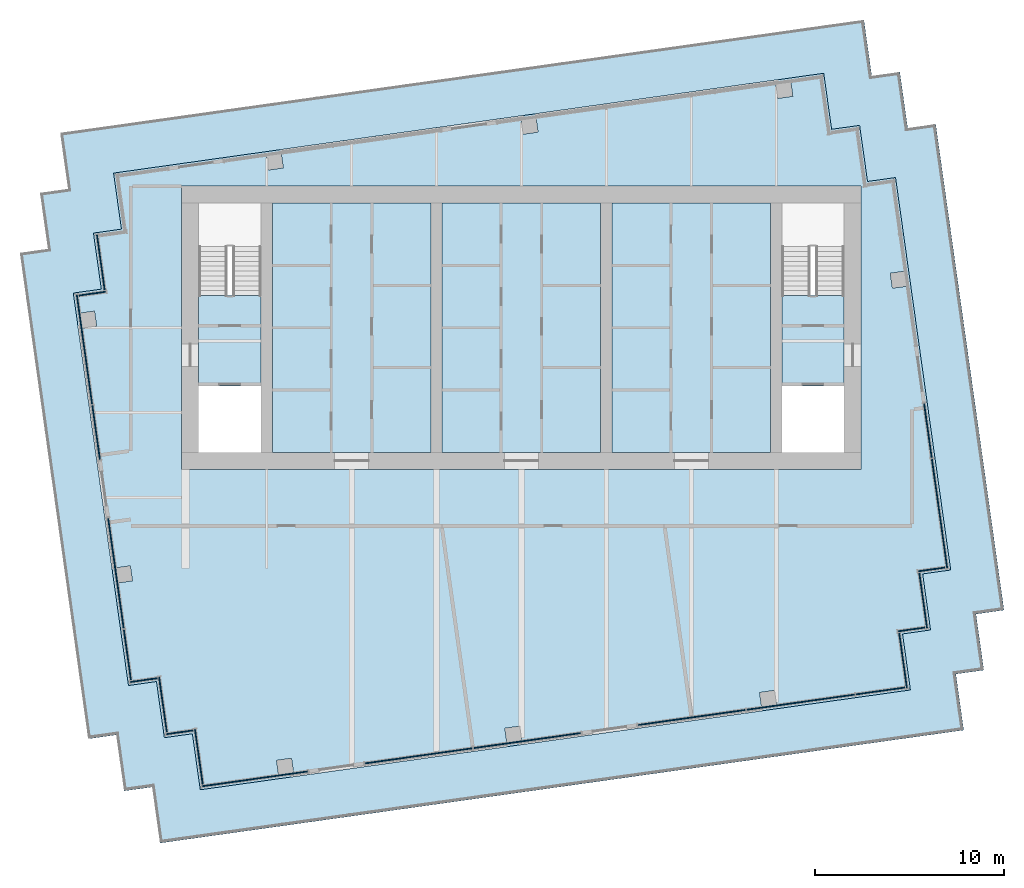
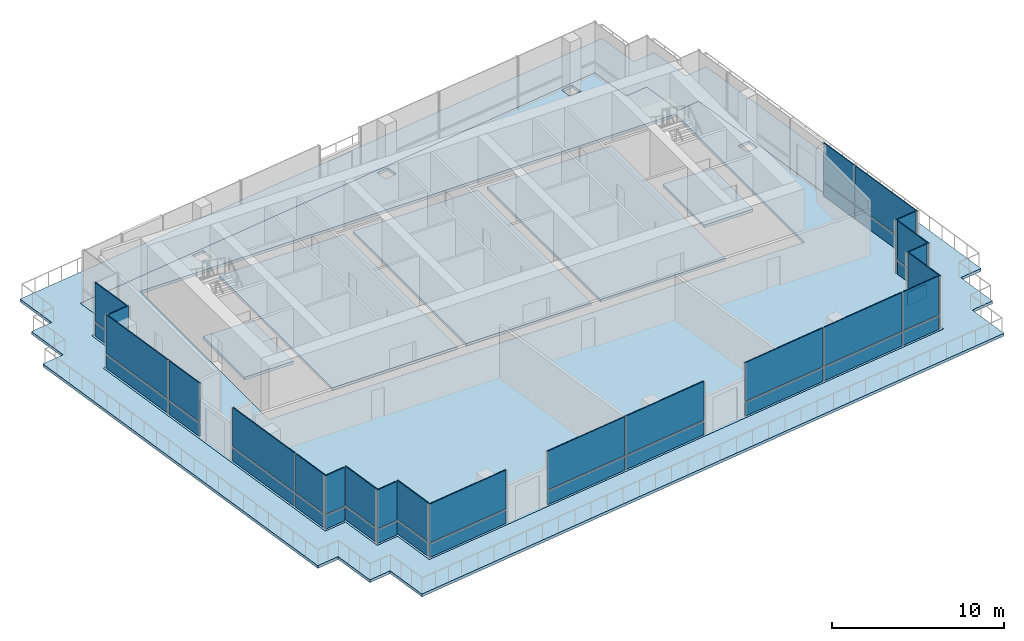
# One storey, part 5 of 12: 44 plates, 7 slabs, 16 elements without a shape of their own.
"""IFC4 building model written with IfcOpenShell, lengths in metres."""

from ifc_helpers import new_model, si_unit, direction, frame, origin, origin_2d, place, context, subcontext, project, spatial, polyline, rectangle, outline, extrude, material, layer, layer_set, type_object, element, aggregate, save


model = new_model("IFC4")

# Units and contexts
model_context = context("Model", 3, precision=1e-05, world=origin(), true_north=direction((0.0, 1.0)))
body_context = subcontext(model_context, "Body", "Model", "MODEL_VIEW")
ifc_project = project(units=[si_unit("LENGTHUNIT", "METRE"), si_unit("AREAUNIT", "SQUARE_METRE"), si_unit("VOLUMEUNIT", "CUBIC_METRE"), si_unit("PLANEANGLEUNIT", "RADIAN"), si_unit("MASSUNIT", "GRAM", prefix="KILO")], contexts=[model_context])

# Site, building, storey
site_placement = place(None, origin())
site = spatial("IfcSite", under=ifc_project, at=site_placement, CompositionType="ELEMENT")
building_placement = place(site_placement, origin())
building = spatial("IfcBuilding", under=site, at=building_placement, Name="Rattan Terrace Tower", CompositionType="ELEMENT")
storey_placement = place(building_placement, frame((0.0, 0.0, 292.300048828125)))
storey = spatial("IfcBuildingStorey", under=building, at=storey_placement, Name="C01", CompositionType="ELEMENT", Elevation=292.300048828125)

# Slabs
ifc_material_1 = material(Name="Concrete C35/45", Category="concrete")
ifc_layer_1 = layer(ifc_material_1, 0.199951171875)
ifc_layer_set_1 = layer_set([ifc_layer_1], Name="Frame composite floor slab 200")
slab_type_1 = type_object("IfcSlabType", Name="Frame composite floor slab 200", PredefinedType="FLOOR", material=ifc_layer_set_1)
slab_1_placement = place(storey_placement, frame((0.0, 0.0, -0.199951171875)))
element("IfcSlab", 1, at=slab_1_placement, inside=storey, type_object=slab_type_1, Name="Floor slab", PredefinedType="FLOOR", context=body_context, shape_type="SweptSolid", body=[
    extrude(outline(polyline([(-22.260986328125, 2.0458984375), (-23.7470703125, 1.8369140625), (-20.823974609375, -18.958984375), (-19.340087890625, -18.75), (-18.9208984375, -21.722900390625), (-17.43701171875, -21.514892578125), (-17.01904296875, -24.48388671875), (-16.52392578125, -24.4140625), (20.115966796875, -19.263916015625), (20.612060546875, -19.195068359375), (20.195068359375, -16.22509765625), (21.678955078125, -16.01611328125), (21.260986328125, -13.0458984375), (22.7470703125, -12.8369140625), (19.823974609375, 7.958984375), (18.340087890625, 7.75), (17.9208984375, 10.722900390625), (16.43701171875, 10.514892578125), (16.01904296875, 13.48388671875), (15.52392578125, 13.4140625), (-21.115966796875, 8.263916015625), (-21.612060546875, 8.195068359375), (-21.195068359375, 5.22509765625), (-22.678955078125, 5.01611328125), (-22.260986328125, 2.0458984375)]), holes=[polyline([(-12.0732421875, -23.6064453125), (-12.1845703125, -22.814208984375), (-12.976806640625, -22.925537109375), (-12.865478515625, -23.7177734375), (-12.0732421875, -23.6064453125)]), polyline([(0.022705078125, -21.906494140625), (-0.088623046875, -21.1142578125), (-0.880859375, -21.2255859375), (-0.769287109375, -22.017822265625), (0.022705078125, -21.906494140625)]), polyline([(-20.7255859375, -12.619140625), (-21.517822265625, -12.730712890625), (-21.406494140625, -13.522705078125), (-20.6142578125, -13.411376953125), (-20.7255859375, -12.619140625)]), polyline([(-18.0, -6.60009765625), (-18.0, -7.5), (18.0, -7.5), (18.0, -6.60009765625), (18.0, 6.60009765625), (18.0, 7.5), (-18.0, 7.5), (-18.0, 6.60009765625), (-18.0, -6.60009765625)]), polyline([(-22.51123046875, 0.088623046875), (-22.62255859375, 0.880859375), (-23.414794921875, 0.769287109375), (-23.303466796875, -0.022705078125), (-22.51123046875, 0.088623046875)]), polyline([(-12.619140625, 8.468505859375), (-12.730712890625, 9.2607421875), (-13.522705078125, 9.1494140625), (-13.411376953125, 8.357177734375), (-12.619140625, 8.468505859375)]), polyline([(13.522705078125, -20.009521484375), (13.411376953125, -19.21728515625), (12.619140625, -19.32861328125), (12.730712890625, -20.120849609375), (13.522705078125, -20.009521484375)]), polyline([(20.45068359375, 2.20556640625), (20.33935546875, 2.997802734375), (19.547119140625, 2.886474609375), (19.65869140625, 2.09423828125), (20.45068359375, 2.20556640625)]), polyline([(0.088623046875, 10.255126953125), (0.880859375, 10.36669921875), (0.769287109375, 11.15869140625), (-0.022705078125, 11.04736328125), (0.088623046875, 10.255126953125)]), polyline([(13.588623046875, 12.152099609375), (14.380859375, 12.263671875), (14.269287109375, 13.055908203125), (13.477294921875, 12.9443359375), (13.588623046875, 12.152099609375)])]), origin(), (0.0, 0.0, 1.0), 0.199951171875),
])
slab_2_placement = place(storey_placement, frame((0.0, 0.0, -0.199951171875)))
element("IfcSlab", 2, at=slab_2_placement, inside=storey, type_object=slab_type_1, Name="Floor slab", PredefinedType="FLOOR", context=body_context, shape_type="SweptSolid", body=[
    extrude(outline(polyline([(-13.199951171875, 6.60009765625), (-13.199951171875, -6.60009765625), (-4.800048828125, -6.60009765625), (-4.800048828125, 6.60009765625), (-13.199951171875, 6.60009765625)])), origin(), (0.0, 0.0, 1.0), 0.199951171875),
])
slab_3_placement = place(storey_placement, frame((0.0, 0.0, -0.199951171875)))
element("IfcSlab", 3, at=slab_3_placement, inside=storey, type_object=slab_type_1, Name="Floor slab", PredefinedType="FLOOR", context=body_context, shape_type="SweptSolid", body=[
    extrude(outline(polyline([(-4.199951171875, 6.60009765625), (-4.199951171875, -6.60009765625), (4.199951171875, -6.60009765625), (4.199951171875, 6.60009765625), (-4.199951171875, 6.60009765625)])), origin(), (0.0, 0.0, 1.0), 0.199951171875),
])
slab_4_placement = place(storey_placement, frame((0.0, 0.0, -0.199951171875)))
element("IfcSlab", 4, at=slab_4_placement, inside=storey, type_object=slab_type_1, Name="Floor slab", PredefinedType="FLOOR", context=body_context, shape_type="SweptSolid", body=[
    extrude(outline(polyline([(4.800048828125, -6.60009765625), (13.199951171875, -6.60009765625), (13.199951171875, 6.60009765625), (4.800048828125, 6.60009765625), (4.800048828125, -6.60009765625)])), origin(), (0.0, 0.0, 1.0), 0.199951171875),
])
slab_5_placement = place(storey_placement, frame((0.0, 0.0, -0.199951171875)))
element("IfcSlab", 5, at=slab_5_placement, inside=storey, type_object=slab_type_1, Name="Floor slab", PredefinedType="FLOOR", context=body_context, shape_type="SweptSolid", body=[
    extrude(outline(polyline([(-13.800048828125, -3.10009765625), (-13.800048828125, 1.7099609375), (-17.10009765625, 1.7099609375), (-17.10009765625, -3.10009765625), (-13.800048828125, -3.10009765625)])), origin(), (0.0, 0.0, 1.0), 0.199951171875),
])
slab_6_placement = place(storey_placement, frame((0.0, 0.0, -0.199951171875)))
element("IfcSlab", 6, at=slab_6_placement, inside=storey, type_object=slab_type_1, Name="Floor slab", PredefinedType="FLOOR", context=body_context, shape_type="SweptSolid", body=[
    extrude(outline(polyline([(13.800048828125, -3.10009765625), (17.10009765625, -3.10009765625), (17.10009765625, 1.7099609375), (13.800048828125, 1.7099609375), (13.800048828125, -3.10009765625)])), origin(), (0.0, 0.0, 1.0), 0.199951171875),
])
ifc_material_2 = material(Name="Concrete C35/45", Category="concrete")
ifc_layer_2 = layer(ifc_material_2, 0.199951171875)
ifc_layer_set_2 = layer_set([ifc_layer_2], Name="Frame terrace slab 200")
slab_type_2 = type_object("IfcSlabType", Name="Frame terrace slab 200", PredefinedType="ROOF", material=ifc_layer_set_2)
slab_7_placement = place(storey_placement, frame((0.0, 0.0, -0.199951171875)))
element("IfcSlab", 7, at=slab_7_placement, inside=storey, type_object=slab_type_2, Name="Terrace slab", PredefinedType="ROOF", context=body_context, shape_type="SweptSolid", body=[
    extrude(outline(polyline([(-19.14599609375, -27.306884765625), (-16.176025390625, -26.889892578125), (20.464111328125, -21.739990234375), (23.43505859375, -21.322998046875), (23.01806640625, -18.35205078125), (24.5029296875, -18.14306640625), (24.0849609375, -15.173095703125), (25.571044921875, -14.964111328125), (21.951904296875, 10.782958984375), (20.467041015625, 10.573974609375), (20.049072265625, 13.544921875), (18.56396484375, 13.3369140625), (18.14599609375, 16.306884765625), (15.176025390625, 15.889892578125), (-21.464111328125, 10.739990234375), (-24.43505859375, 10.322998046875), (-24.01806640625, 7.35205078125), (-25.5029296875, 7.14306640625), (-25.0849609375, 4.173095703125), (-26.571044921875, 3.964111328125), (-22.951904296875, -21.782958984375), (-21.467041015625, -21.573974609375), (-21.049072265625, -24.544921875), (-19.56396484375, -24.3369140625), (-19.14599609375, -27.306884765625)]), holes=[polyline([(-19.340087890625, -18.75), (-18.9208984375, -21.722900390625), (-17.43701171875, -21.514892578125), (-17.01904296875, -24.48388671875), (-16.52392578125, -24.4140625), (20.115966796875, -19.263916015625), (20.612060546875, -19.195068359375), (20.195068359375, -16.22509765625), (21.678955078125, -16.01611328125), (21.260986328125, -13.0458984375), (22.7470703125, -12.8369140625), (19.823974609375, 7.958984375), (18.340087890625, 7.75), (17.9208984375, 10.722900390625), (16.43701171875, 10.514892578125), (16.01904296875, 13.48388671875), (15.52392578125, 13.4140625), (-21.115966796875, 8.263916015625), (-21.612060546875, 8.195068359375), (-21.195068359375, 5.22509765625), (-22.678955078125, 5.01611328125), (-22.260986328125, 2.0458984375), (-23.7470703125, 1.8369140625), (-20.823974609375, -18.958984375), (-19.340087890625, -18.75)])]), origin(), (0.0, 0.0, 1.0), 0.199951171875),
])

# Curtain wall, plates
ifc_material_3 = material(Name="Aluminium and laminated glass", Category="aluminium")
ifc_layer_3 = layer(ifc_material_3, 0.239990234375)
ifc_layer_set_3 = layer_set([ifc_layer_3], Name="Lantern Stick Curtain Wall")
curtain_wall_type = type_object("IfcCurtainWallType", Name="Lantern Stick Curtain Wall", PredefinedType="NOTDEFINED", material=ifc_layer_set_3)
curtain_wall_1_placement = place(storey_placement, origin())
curtain_wall_1 = element("IfcCurtainWall", 8, at=curtain_wall_1_placement, inside=storey, type_object=curtain_wall_type, Name="Lantern curtain wall C01-1", PredefinedType="NOTDEFINED")
ifc_material_4 = material(Name="Laminated low-iron glass", Category="glass")
ifc_layer_4 = layer(ifc_material_4, 0.06591796875)
ifc_layer_set_4 = layer_set([ifc_layer_4], Name="Lantern CW Laminated Panel")
plate_type = type_object("IfcPlateType", Name="Lantern CW Laminated Panel", PredefinedType="CURTAIN_PANEL", material=ifc_layer_set_4)
plate_1_placement = place(storey_placement, frame((-23.1552734375, -1.152099609375, 0.0), z_axis=(0.0, 0.0, 1.0), x_axis=(0.139187707455, -0.990266015823, 0.0)))
plate_1 = element("IfcPlate", 9, at=plate_1_placement, type_object=plate_type, Name="Panel cwl-C01-001.1.1", PredefinedType="CURTAIN_PANEL", context=body_context, shape_type="SweptSolid", body=[
    extrude(rectangle(XDim=5.844970703125, YDim=0.06591796875, at=origin_2d()), origin(), (0.0, 0.0, 1.0), 0.949951171875),
])
plate_2_placement = place(storey_placement, frame((-23.1552734375, -1.152099609375, 1.050048828125), z_axis=(0.0, 0.0, 1.0), x_axis=(0.139187707455, -0.990266015823, 0.0)))
plate_2 = element("IfcPlate", 10, at=plate_2_placement, type_object=plate_type, Name="Panel cwl-C01-001.1.2", PredefinedType="CURTAIN_PANEL", context=body_context, shape_type="SweptSolid", body=[
    extrude(rectangle(XDim=5.844970703125, YDim=0.06591796875, at=origin_2d()), origin(), (0.0, 0.0, 1.0), 2.75),
])
plate_3_placement = place(storey_placement, frame((-22.537109375, -5.549072265625, 0.0), z_axis=(0.0, 0.0, 1.0), x_axis=(0.139187707455, -0.990266015823, 0.0)))
plate_3 = element("IfcPlate", 11, at=plate_3_placement, type_object=plate_type, Name="Panel cwl-C01-001.2.1", PredefinedType="CURTAIN_PANEL", context=body_context, shape_type="SweptSolid", body=[
    extrude(rectangle(XDim=2.89501953125, YDim=0.06591796875, at=origin_2d()), origin(), (0.0, 0.0, 1.0), 0.949951171875),
])
plate_4_placement = place(storey_placement, frame((-22.537109375, -5.549072265625, 1.050048828125), z_axis=(0.0, 0.0, 1.0), x_axis=(0.139187707455, -0.990266015823, 0.0)))
plate_4 = element("IfcPlate", 12, at=plate_4_placement, type_object=plate_type, Name="Panel cwl-C01-001.2.2", PredefinedType="CURTAIN_PANEL", context=body_context, shape_type="SweptSolid", body=[
    extrude(rectangle(XDim=2.89501953125, YDim=0.06591796875, at=origin_2d()), origin(), (0.0, 0.0, 1.0), 2.75),
])
aggregate(curtain_wall_1, [plate_1, plate_2, plate_3, plate_4])

curtain_wall_2_placement = place(storey_placement, origin())
curtain_wall_2 = element("IfcCurtainWall", 13, at=curtain_wall_2_placement, inside=storey, type_object=curtain_wall_type, Name="Lantern curtain wall C01-2", PredefinedType="NOTDEFINED")
plate_5_placement = place(storey_placement, frame((-21.488525390625, -13.0107421875, 0.0), z_axis=(0.0, 0.0, 1.0), x_axis=(0.139187707455, -0.990266015823, 0.0)))
plate_5 = element("IfcPlate", 14, at=plate_5_placement, type_object=plate_type, Name="Panel cwl-C01-002.1.1", PredefinedType="CURTAIN_PANEL", context=body_context, shape_type="SweptSolid", body=[
    extrude(rectangle(XDim=5.89501953125, YDim=0.06591796875, at=origin_2d()), origin(), (0.0, 0.0, 1.0), 0.949951171875),
])
plate_6_placement = place(storey_placement, frame((-21.488525390625, -13.0107421875, 1.050048828125), z_axis=(0.0, 0.0, 1.0), x_axis=(0.139187707455, -0.990266015823, 0.0)))
plate_6 = element("IfcPlate", 15, at=plate_6_placement, type_object=plate_type, Name="Panel cwl-C01-002.1.2", PredefinedType="CURTAIN_PANEL", context=body_context, shape_type="SweptSolid", body=[
    extrude(rectangle(XDim=5.89501953125, YDim=0.06591796875, at=origin_2d()), origin(), (0.0, 0.0, 1.0), 2.75),
])
plate_7_placement = place(storey_placement, frame((-20.88232421875, -17.323486328125, 0.0), z_axis=(0.0, 0.0, 1.0), x_axis=(0.139187707455, -0.990266015823, 0.0)))
plate_7 = element("IfcPlate", 16, at=plate_7_placement, type_object=plate_type, Name="Panel cwl-C01-002.2.1", PredefinedType="CURTAIN_PANEL", context=body_context, shape_type="SweptSolid", body=[
    extrude(rectangle(XDim=2.67529296875, YDim=0.06591796875, at=origin_2d()), origin(), (0.0, 0.0, 1.0), 0.949951171875),
])
plate_8_placement = place(storey_placement, frame((-20.88232421875, -17.323486328125, 1.050048828125), z_axis=(0.0, 0.0, 1.0), x_axis=(0.139187707455, -0.990266015823, 0.0)))
plate_8 = element("IfcPlate", 17, at=plate_8_placement, type_object=plate_type, Name="Panel cwl-C01-002.2.2", PredefinedType="CURTAIN_PANEL", context=body_context, shape_type="SweptSolid", body=[
    extrude(rectangle(XDim=2.67529296875, YDim=0.06591796875, at=origin_2d()), origin(), (0.0, 0.0, 1.0), 2.75),
])
aggregate(curtain_wall_2, [plate_5, plate_6, plate_7, plate_8])

curtain_wall_3_placement = place(storey_placement, origin())
curtain_wall_3 = element("IfcCurtainWall", 18, at=curtain_wall_3_placement, inside=storey, type_object=curtain_wall_type, Name="Lantern curtain wall C01-3", PredefinedType="NOTDEFINED")
plate_9_placement = place(storey_placement, frame((-20.021484375, -18.67431640625, 0.0), z_axis=(0.0, 0.0, 1.0), x_axis=(0.990227803001, 0.139459306479, 0.0)))
plate_9 = element("IfcPlate", 19, at=plate_9_placement, type_object=plate_type, Name="Panel cwl-C01-003.1.1", PredefinedType="CURTAIN_PANEL", context=body_context, shape_type="SweptSolid", body=[
    extrude(rectangle(XDim=1.428466796875, YDim=0.06591796875, at=origin_2d()), origin(), (0.0, 0.0, 1.0), 0.949951171875),
])
plate_10_placement = place(storey_placement, frame((-20.021484375, -18.67431640625, 1.050048828125), z_axis=(0.0, 0.0, 1.0), x_axis=(0.990227803001, 0.139459306479, 0.0)))
plate_10 = element("IfcPlate", 20, at=plate_10_placement, type_object=plate_type, Name="Panel cwl-C01-003.1.2", PredefinedType="CURTAIN_PANEL", context=body_context, shape_type="SweptSolid", body=[
    extrude(rectangle(XDim=1.428466796875, YDim=0.06591796875, at=origin_2d()), origin(), (0.0, 0.0, 1.0), 2.75),
])
aggregate(curtain_wall_3, [plate_9, plate_10])

curtain_wall_4_placement = place(storey_placement, origin())
curtain_wall_4 = element("IfcCurtainWall", 21, at=curtain_wall_4_placement, inside=storey, type_object=curtain_wall_type, Name="Lantern curtain wall C01-4", PredefinedType="NOTDEFINED")
plate_11_placement = place(storey_placement, frame((-18.997802734375, -19.96044921875, 0.0), z_axis=(0.0, 0.0, 1.0), x_axis=(0.139555918709, -0.990214191755, 0.0)))
plate_11 = element("IfcPlate", 22, at=plate_11_placement, type_object=plate_type, Name="Panel cwl-C01-004.1.1", PredefinedType="CURTAIN_PANEL", context=body_context, shape_type="SweptSolid", body=[
    extrude(rectangle(XDim=2.932373046875, YDim=0.06591796875, at=origin_2d()), origin(), (0.0, 0.0, 1.0), 0.949951171875),
])
plate_12_placement = place(storey_placement, frame((-18.997802734375, -19.96044921875, 1.050048828125), z_axis=(0.0, 0.0, 1.0), x_axis=(0.139555918709, -0.990214191755, 0.0)))
plate_12 = element("IfcPlate", 23, at=plate_12_placement, type_object=plate_type, Name="Panel cwl-C01-004.1.2", PredefinedType="CURTAIN_PANEL", context=body_context, shape_type="SweptSolid", body=[
    extrude(rectangle(XDim=2.932373046875, YDim=0.06591796875, at=origin_2d()), origin(), (0.0, 0.0, 1.0), 2.75),
])
aggregate(curtain_wall_4, [plate_11, plate_12])

curtain_wall_5_placement = place(storey_placement, origin())
curtain_wall_5 = element("IfcCurtainWall", 24, at=curtain_wall_5_placement, inside=storey, type_object=curtain_wall_type, Name="Lantern curtain wall C01-5", PredefinedType="NOTDEFINED")
plate_13_placement = place(storey_placement, frame((-18.11865234375, -21.43896484375, 0.0), z_axis=(0.0, 0.0, 1.0), x_axis=(0.990319742912, 0.13880492354, 0.0)))
plate_13 = element("IfcPlate", 25, at=plate_13_placement, type_object=plate_type, Name="Panel cwl-C01-005.1.1", PredefinedType="CURTAIN_PANEL", context=body_context, shape_type="SweptSolid", body=[
    extrude(rectangle(XDim=1.428466796875, YDim=0.06591796875, at=origin_2d()), origin(), (0.0, 0.0, 1.0), 0.949951171875),
])
plate_14_placement = place(storey_placement, frame((-18.11865234375, -21.43896484375, 1.050048828125), z_axis=(0.0, 0.0, 1.0), x_axis=(0.990319742912, 0.13880492354, 0.0)))
plate_14 = element("IfcPlate", 26, at=plate_14_placement, type_object=plate_type, Name="Panel cwl-C01-005.1.2", PredefinedType="CURTAIN_PANEL", context=body_context, shape_type="SweptSolid", body=[
    extrude(rectangle(XDim=1.428466796875, YDim=0.06591796875, at=origin_2d()), origin(), (0.0, 0.0, 1.0), 2.75),
])
aggregate(curtain_wall_5, [plate_13, plate_14])

curtain_wall_6_placement = place(storey_placement, origin())
curtain_wall_6 = element("IfcCurtainWall", 27, at=curtain_wall_6_placement, inside=storey, type_object=curtain_wall_type, Name="Lantern curtain wall C01-6", PredefinedType="NOTDEFINED")
plate_15_placement = place(storey_placement, frame((-17.09521484375, -22.723388671875, 0.0), z_axis=(0.0, 0.0, 1.0), x_axis=(0.139413247769, -0.990234288614, 0.0)))
plate_15 = element("IfcPlate", 28, at=plate_15_placement, type_object=plate_type, Name="Panel cwl-C01-006.1.1", PredefinedType="CURTAIN_PANEL", context=body_context, shape_type="SweptSolid", body=[
    extrude(rectangle(XDim=2.92822265625, YDim=0.06591796875, at=origin_2d()), origin(), (0.0, 0.0, 1.0), 0.949951171875),
])
plate_16_placement = place(storey_placement, frame((-17.09521484375, -22.723388671875, 1.050048828125), z_axis=(0.0, 0.0, 1.0), x_axis=(0.139413247769, -0.990234288614, 0.0)))
plate_16 = element("IfcPlate", 29, at=plate_16_placement, type_object=plate_type, Name="Panel cwl-C01-006.1.2", PredefinedType="CURTAIN_PANEL", context=body_context, shape_type="SweptSolid", body=[
    extrude(rectangle(XDim=2.92822265625, YDim=0.06591796875, at=origin_2d()), origin(), (0.0, 0.0, 1.0), 2.75),
])
aggregate(curtain_wall_6, [plate_15, plate_16])

curtain_wall_7_placement = place(storey_placement, origin())
curtain_wall_7 = element("IfcCurtainWall", 30, at=curtain_wall_7_placement, inside=storey, type_object=curtain_wall_type, Name="Lantern curtain wall C01-7", PredefinedType="NOTDEFINED")
plate_17_placement = place(storey_placement, frame((-14.123291015625, -23.9052734375, 0.0), z_axis=(0.0, 0.0, 1.0), x_axis=(0.990266952226, 0.13918104515, 0.0)))
plate_17 = element("IfcPlate", 31, at=plate_17_placement, type_object=plate_type, Name="Panel cwl-C01-007.1.1", PredefinedType="CURTAIN_PANEL", context=body_context, shape_type="SweptSolid", body=[
    extrude(rectangle(XDim=5.656005859375, YDim=0.06591796875, at=origin_2d()), origin(), (0.0, 0.0, 1.0), 0.949951171875),
])
plate_18_placement = place(storey_placement, frame((-14.123291015625, -23.9052734375, 1.050048828125), z_axis=(0.0, 0.0, 1.0), x_axis=(0.990266952226, 0.13918104515, 0.0)))
plate_18 = element("IfcPlate", 32, at=plate_18_placement, type_object=plate_type, Name="Panel cwl-C01-007.1.2", PredefinedType="CURTAIN_PANEL", context=body_context, shape_type="SweptSolid", body=[
    extrude(rectangle(XDim=5.656005859375, YDim=0.06591796875, at=origin_2d()), origin(), (0.0, 0.0, 1.0), 2.75),
])
aggregate(curtain_wall_7, [plate_17, plate_18])

curtain_wall_8_placement = place(storey_placement, origin())
curtain_wall_8 = element("IfcCurtainWall", 33, at=curtain_wall_8_placement, inside=storey, type_object=curtain_wall_type, Name="Lantern curtain wall C01-8", PredefinedType="NOTDEFINED")
plate_19_placement = place(storey_placement, frame((-5.447265625, -22.68603515625, 0.0), z_axis=(0.0, 0.0, 1.0), x_axis=(0.990266952226, 0.13918104515, 0.0)))
plate_19 = element("IfcPlate", 34, at=plate_19_placement, type_object=plate_type, Name="Panel cwl-C01-008.1.1", PredefinedType="CURTAIN_PANEL", context=body_context, shape_type="SweptSolid", body=[
    extrude(rectangle(XDim=5.740966796875, YDim=0.06591796875, at=origin_2d()), origin(), (0.0, 0.0, 1.0), 0.949951171875),
])
plate_20_placement = place(storey_placement, frame((-5.447265625, -22.68603515625, 1.050048828125), z_axis=(0.0, 0.0, 1.0), x_axis=(0.990266952226, 0.13918104515, 0.0)))
plate_20 = element("IfcPlate", 35, at=plate_20_placement, type_object=plate_type, Name="Panel cwl-C01-008.1.2", PredefinedType="CURTAIN_PANEL", context=body_context, shape_type="SweptSolid", body=[
    extrude(rectangle(XDim=5.740966796875, YDim=0.06591796875, at=origin_2d()), origin(), (0.0, 0.0, 1.0), 2.75),
])
plate_21_placement = place(storey_placement, frame((0.307373046875, -21.877197265625, 0.0), z_axis=(0.0, 0.0, 1.0), x_axis=(0.990266952226, 0.13918104515, 0.0)))
plate_21 = element("IfcPlate", 36, at=plate_21_placement, type_object=plate_type, Name="Panel cwl-C01-008.2.1", PredefinedType="CURTAIN_PANEL", context=body_context, shape_type="SweptSolid", body=[
    extrude(rectangle(XDim=5.740966796875, YDim=0.06591796875, at=origin_2d()), origin(), (0.0, 0.0, 1.0), 0.949951171875),
])
plate_22_placement = place(storey_placement, frame((0.307373046875, -21.877197265625, 1.050048828125), z_axis=(0.0, 0.0, 1.0), x_axis=(0.990266952226, 0.13918104515, 0.0)))
plate_22 = element("IfcPlate", 37, at=plate_22_placement, type_object=plate_type, Name="Panel cwl-C01-008.2.2", PredefinedType="CURTAIN_PANEL", context=body_context, shape_type="SweptSolid", body=[
    extrude(rectangle(XDim=5.740966796875, YDim=0.06591796875, at=origin_2d()), origin(), (0.0, 0.0, 1.0), 2.75),
])
aggregate(curtain_wall_8, [plate_19, plate_20, plate_21, plate_22])

curtain_wall_9_placement = place(storey_placement, origin())
curtain_wall_9 = element("IfcCurtainWall", 38, at=curtain_wall_9_placement, inside=storey, type_object=curtain_wall_type, Name="Lantern curtain wall C01-9", PredefinedType="NOTDEFINED")
plate_23_placement = place(storey_placement, frame((9.025634765625, -20.65185546875, 0.0), z_axis=(0.0, 0.0, 1.0), x_axis=(0.990266952226, 0.13918104515, 0.0)))
plate_23 = element("IfcPlate", 39, at=plate_23_placement, type_object=plate_type, Name="Panel cwl-C01-009.1.1", PredefinedType="CURTAIN_PANEL", context=body_context, shape_type="SweptSolid", body=[
    extrude(rectangle(XDim=5.740966796875, YDim=0.06591796875, at=origin_2d()), origin(), (0.0, 0.0, 1.0), 0.949951171875),
])
plate_24_placement = place(storey_placement, frame((9.025634765625, -20.65185546875, 1.050048828125), z_axis=(0.0, 0.0, 1.0), x_axis=(0.990266952226, 0.13918104515, 0.0)))
plate_24 = element("IfcPlate", 40, at=plate_24_placement, type_object=plate_type, Name="Panel cwl-C01-009.1.2", PredefinedType="CURTAIN_PANEL", context=body_context, shape_type="SweptSolid", body=[
    extrude(rectangle(XDim=5.740966796875, YDim=0.06591796875, at=origin_2d()), origin(), (0.0, 0.0, 1.0), 2.75),
])
plate_25_placement = place(storey_placement, frame((14.79736328125, -19.840576171875, 0.0), z_axis=(0.0, 0.0, 1.0), x_axis=(0.990266952226, 0.13918104515, 0.0)))
plate_25 = element("IfcPlate", 41, at=plate_25_placement, type_object=plate_type, Name="Panel cwl-C01-009.2.1", PredefinedType="CURTAIN_PANEL", context=body_context, shape_type="SweptSolid", body=[
    extrude(rectangle(XDim=5.77587890625, YDim=0.06591796875, at=origin_2d()), origin(), (0.0, 0.0, 1.0), 0.949951171875),
])
plate_26_placement = place(storey_placement, frame((14.79736328125, -19.840576171875, 1.050048828125), z_axis=(0.0, 0.0, 1.0), x_axis=(0.990266952226, 0.13918104515, 0.0)))
plate_26 = element("IfcPlate", 42, at=plate_26_placement, type_object=plate_type, Name="Panel cwl-C01-009.2.2", PredefinedType="CURTAIN_PANEL", context=body_context, shape_type="SweptSolid", body=[
    extrude(rectangle(XDim=5.77587890625, YDim=0.06591796875, at=origin_2d()), origin(), (0.0, 0.0, 1.0), 2.75),
])
plate_27_placement = place(storey_placement, frame((19.013916015625, -19.248046875, 0.0), z_axis=(0.0, 0.0, 1.0), x_axis=(0.990266952226, 0.13918104515, 0.0)))
plate_27 = element("IfcPlate", 43, at=plate_27_placement, type_object=plate_type, Name="Panel cwl-C01-009.3.1", PredefinedType="CURTAIN_PANEL", context=body_context, shape_type="SweptSolid", body=[
    extrude(rectangle(XDim=2.599853515625, YDim=0.06591796875, at=origin_2d()), origin(), (0.0, 0.0, 1.0), 0.949951171875),
])
plate_28_placement = place(storey_placement, frame((19.013916015625, -19.248046875, 1.050048828125), z_axis=(0.0, 0.0, 1.0), x_axis=(0.990266952226, 0.13918104515, 0.0)))
plate_28 = element("IfcPlate", 44, at=plate_28_placement, type_object=plate_type, Name="Panel cwl-C01-009.3.2", PredefinedType="CURTAIN_PANEL", context=body_context, shape_type="SweptSolid", body=[
    extrude(rectangle(XDim=2.599853515625, YDim=0.06591796875, at=origin_2d()), origin(), (0.0, 0.0, 1.0), 2.75),
])
aggregate(curtain_wall_9, [plate_23, plate_24, plate_25, plate_26, plate_27, plate_28])

curtain_wall_10_placement = place(storey_placement, origin())
curtain_wall_10 = element("IfcCurtainWall", 45, at=curtain_wall_10_placement, inside=storey, type_object=curtain_wall_type, Name="Lantern curtain wall C01-10", PredefinedType="NOTDEFINED")
plate_29_placement = place(storey_placement, frame((20.223388671875, -17.6494140625, 0.0), z_axis=(0.0, 0.0, 1.0), x_axis=(-0.139040257974, 0.990286729519, 0.0)))
plate_29 = element("IfcPlate", 46, at=plate_29_placement, type_object=plate_type, Name="Panel cwl-C01-010.1.1", PredefinedType="CURTAIN_PANEL", context=body_context, shape_type="SweptSolid", body=[
    extrude(rectangle(XDim=2.92919921875, YDim=0.06591796875, at=origin_2d()), origin(), (0.0, 0.0, 1.0), 0.949951171875),
])
plate_30_placement = place(storey_placement, frame((20.223388671875, -17.6494140625, 1.050048828125), z_axis=(0.0, 0.0, 1.0), x_axis=(-0.139040257974, 0.990286729519, 0.0)))
plate_30 = element("IfcPlate", 47, at=plate_30_placement, type_object=plate_type, Name="Panel cwl-C01-010.1.2", PredefinedType="CURTAIN_PANEL", context=body_context, shape_type="SweptSolid", body=[
    extrude(rectangle(XDim=2.92919921875, YDim=0.06591796875, at=origin_2d()), origin(), (0.0, 0.0, 1.0), 2.75),
])
aggregate(curtain_wall_10, [plate_29, plate_30])

curtain_wall_11_placement = place(storey_placement, origin())
curtain_wall_11 = element("IfcCurtainWall", 48, at=curtain_wall_11_placement, inside=storey, type_object=curtain_wall_type, Name="Lantern curtain wall C01-11", PredefinedType="NOTDEFINED")
plate_31_placement = place(storey_placement, frame((20.660888671875, -15.98779296875, 0.0), z_axis=(0.0, 0.0, 1.0), x_axis=(0.990227803001, 0.139459306479, 0.0)))
plate_31 = element("IfcPlate", 49, at=plate_31_placement, type_object=plate_type, Name="Panel cwl-C01-011.1.1", PredefinedType="CURTAIN_PANEL", context=body_context, shape_type="SweptSolid", body=[
    extrude(rectangle(XDim=1.4287109375, YDim=0.06591796875, at=origin_2d()), origin(), (0.0, 0.0, 1.0), 0.949951171875),
])
plate_32_placement = place(storey_placement, frame((20.660888671875, -15.98779296875, 1.050048828125), z_axis=(0.0, 0.0, 1.0), x_axis=(0.990227803001, 0.139459306479, 0.0)))
plate_32 = element("IfcPlate", 50, at=plate_32_placement, type_object=plate_type, Name="Panel cwl-C01-011.1.2", PredefinedType="CURTAIN_PANEL", context=body_context, shape_type="SweptSolid", body=[
    extrude(rectangle(XDim=1.4287109375, YDim=0.06591796875, at=origin_2d()), origin(), (0.0, 0.0, 1.0), 2.75),
])
aggregate(curtain_wall_11, [plate_31, plate_32])

curtain_wall_12_placement = place(storey_placement, origin())
curtain_wall_12 = element("IfcCurtainWall", 51, at=curtain_wall_12_placement, inside=storey, type_object=curtain_wall_type, Name="Lantern curtain wall C01-12", PredefinedType="NOTDEFINED")
plate_33_placement = place(storey_placement, frame((21.289794921875, -14.470458984375, 0.0), z_axis=(0.0, 0.0, 1.0), x_axis=(-0.139367219175, 0.990240767803, 0.0)))
plate_33 = element("IfcPlate", 52, at=plate_33_placement, type_object=plate_type, Name="Panel cwl-C01-012.1.1", PredefinedType="CURTAIN_PANEL", context=body_context, shape_type="SweptSolid", body=[
    extrude(rectangle(XDim=2.92919921875, YDim=0.06591796875, at=origin_2d()), origin(), (0.0, 0.0, 1.0), 0.949951171875),
])
plate_34_placement = place(storey_placement, frame((21.289794921875, -14.470458984375, 1.050048828125), z_axis=(0.0, 0.0, 1.0), x_axis=(-0.139367219175, 0.990240767803, 0.0)))
plate_34 = element("IfcPlate", 53, at=plate_34_placement, type_object=plate_type, Name="Panel cwl-C01-012.1.2", PredefinedType="CURTAIN_PANEL", context=body_context, shape_type="SweptSolid", body=[
    extrude(rectangle(XDim=2.92919921875, YDim=0.06591796875, at=origin_2d()), origin(), (0.0, 0.0, 1.0), 2.75),
])
aggregate(curtain_wall_12, [plate_33, plate_34])

curtain_wall_13_placement = place(storey_placement, origin())
curtain_wall_13 = element("IfcCurtainWall", 54, at=curtain_wall_13_placement, inside=storey, type_object=curtain_wall_type, Name="Lantern curtain wall C01-13", PredefinedType="NOTDEFINED")
plate_35_placement = place(storey_placement, frame((21.727783203125, -12.80859375, 0.0), z_axis=(0.0, 0.0, 1.0), x_axis=(0.99025370695, 0.139275252184, 0.0)))
plate_35 = element("IfcPlate", 55, at=plate_35_placement, type_object=plate_type, Name="Panel cwl-C01-013.1.1", PredefinedType="CURTAIN_PANEL", context=body_context, shape_type="SweptSolid", body=[
    extrude(rectangle(XDim=1.4306640625, YDim=0.06591796875, at=origin_2d()), origin(), (0.0, 0.0, 1.0), 0.949951171875),
])
plate_36_placement = place(storey_placement, frame((21.727783203125, -12.80859375, 1.050048828125), z_axis=(0.0, 0.0, 1.0), x_axis=(0.99025370695, 0.139275252184, 0.0)))
plate_36 = element("IfcPlate", 56, at=plate_36_placement, type_object=plate_type, Name="Panel cwl-C01-013.1.2", PredefinedType="CURTAIN_PANEL", context=body_context, shape_type="SweptSolid", body=[
    extrude(rectangle(XDim=1.4306640625, YDim=0.06591796875, at=origin_2d()), origin(), (0.0, 0.0, 1.0), 2.75),
])
aggregate(curtain_wall_13, [plate_35, plate_36])

curtain_wall_14_placement = place(storey_placement, origin())
curtain_wall_14 = element("IfcCurtainWall", 57, at=curtain_wall_14_placement, inside=storey, type_object=curtain_wall_type, Name="Lantern curtain wall C01-14", PredefinedType="NOTDEFINED")
plate_37_placement = place(storey_placement, frame((22.1552734375, -9.847900390625, 0.0), z_axis=(0.0, 0.0, 1.0), x_axis=(-0.139187707455, 0.990266015823, 0.0)))
plate_37 = element("IfcPlate", 58, at=plate_37_placement, type_object=plate_type, Name="Panel cwl-C01-014.1.1", PredefinedType="CURTAIN_PANEL", context=body_context, shape_type="SweptSolid", body=[
    extrude(rectangle(XDim=5.844970703125, YDim=0.06591796875, at=origin_2d()), origin(), (0.0, 0.0, 1.0), 0.949951171875),
])
plate_38_placement = place(storey_placement, frame((22.1552734375, -9.847900390625, 1.050048828125), z_axis=(0.0, 0.0, 1.0), x_axis=(-0.139187707455, 0.990266015823, 0.0)))
plate_38 = element("IfcPlate", 59, at=plate_38_placement, type_object=plate_type, Name="Panel cwl-C01-014.1.2", PredefinedType="CURTAIN_PANEL", context=body_context, shape_type="SweptSolid", body=[
    extrude(rectangle(XDim=5.844970703125, YDim=0.06591796875, at=origin_2d()), origin(), (0.0, 0.0, 1.0), 2.75),
])
plate_39_placement = place(storey_placement, frame((21.537109375, -5.450927734375, 0.0), z_axis=(0.0, 0.0, 1.0), x_axis=(-0.139187707455, 0.990266015823, 0.0)))
plate_39 = element("IfcPlate", 60, at=plate_39_placement, type_object=plate_type, Name="Panel cwl-C01-014.2.1", PredefinedType="CURTAIN_PANEL", context=body_context, shape_type="SweptSolid", body=[
    extrude(rectangle(XDim=2.89501953125, YDim=0.06591796875, at=origin_2d()), origin(), (0.0, 0.0, 1.0), 0.949951171875),
])
plate_40_placement = place(storey_placement, frame((21.537109375, -5.450927734375, 1.050048828125), z_axis=(0.0, 0.0, 1.0), x_axis=(-0.139187707455, 0.990266015823, 0.0)))
plate_40 = element("IfcPlate", 61, at=plate_40_placement, type_object=plate_type, Name="Panel cwl-C01-014.2.2", PredefinedType="CURTAIN_PANEL", context=body_context, shape_type="SweptSolid", body=[
    extrude(rectangle(XDim=2.89501953125, YDim=0.06591796875, at=origin_2d()), origin(), (0.0, 0.0, 1.0), 2.75),
])
aggregate(curtain_wall_14, [plate_37, plate_38, plate_39, plate_40])

curtain_wall_15_placement = place(storey_placement, origin())
curtain_wall_15 = element("IfcCurtainWall", 62, at=curtain_wall_15_placement, inside=storey, type_object=curtain_wall_type, Name="Lantern curtain wall C01-25", PredefinedType="NOTDEFINED")
plate_41_placement = place(storey_placement, frame((-22.289794921875, 3.470458984375, 0.0), z_axis=(0.0, 0.0, 1.0), x_axis=(0.139367219175, -0.990240767803, 0.0)))
plate_41 = element("IfcPlate", 63, at=plate_41_placement, type_object=plate_type, Name="Panel cwl-C01-025.1.1", PredefinedType="CURTAIN_PANEL", context=body_context, shape_type="SweptSolid", body=[
    extrude(rectangle(XDim=2.92919921875, YDim=0.06591796875, at=origin_2d()), origin(), (0.0, 0.0, 1.0), 0.949951171875),
])
plate_42_placement = place(storey_placement, frame((-22.289794921875, 3.470458984375, 1.050048828125), z_axis=(0.0, 0.0, 1.0), x_axis=(0.139367219175, -0.990240767803, 0.0)))
plate_42 = element("IfcPlate", 64, at=plate_42_placement, type_object=plate_type, Name="Panel cwl-C01-025.1.2", PredefinedType="CURTAIN_PANEL", context=body_context, shape_type="SweptSolid", body=[
    extrude(rectangle(XDim=2.92919921875, YDim=0.06591796875, at=origin_2d()), origin(), (0.0, 0.0, 1.0), 2.75),
])
aggregate(curtain_wall_15, [plate_41, plate_42])

curtain_wall_16_placement = place(storey_placement, origin())
curtain_wall_16 = element("IfcCurtainWall", 65, at=curtain_wall_16_placement, inside=storey, type_object=curtain_wall_type, Name="Lantern curtain wall C01-26", PredefinedType="NOTDEFINED")
plate_43_placement = place(storey_placement, frame((-22.727783203125, 1.80859375, 0.0), z_axis=(0.0, 0.0, 1.0), x_axis=(-0.99025370695, -0.139275252184, 0.0)))
plate_43 = element("IfcPlate", 66, at=plate_43_placement, type_object=plate_type, Name="Panel cwl-C01-026.1.1", PredefinedType="CURTAIN_PANEL", context=body_context, shape_type="SweptSolid", body=[
    extrude(rectangle(XDim=1.4306640625, YDim=0.06591796875, at=origin_2d()), origin(), (0.0, 0.0, 1.0), 0.949951171875),
])
plate_44_placement = place(storey_placement, frame((-22.727783203125, 1.80859375, 1.050048828125), z_axis=(0.0, 0.0, 1.0), x_axis=(-0.99025370695, -0.139275252184, 0.0)))
plate_44 = element("IfcPlate", 67, at=plate_44_placement, type_object=plate_type, Name="Panel cwl-C01-026.1.2", PredefinedType="CURTAIN_PANEL", context=body_context, shape_type="SweptSolid", body=[
    extrude(rectangle(XDim=1.4306640625, YDim=0.06591796875, at=origin_2d()), origin(), (0.0, 0.0, 1.0), 2.75),
])
aggregate(curtain_wall_16, [plate_43, plate_44])

save(model, "model.ifc")
